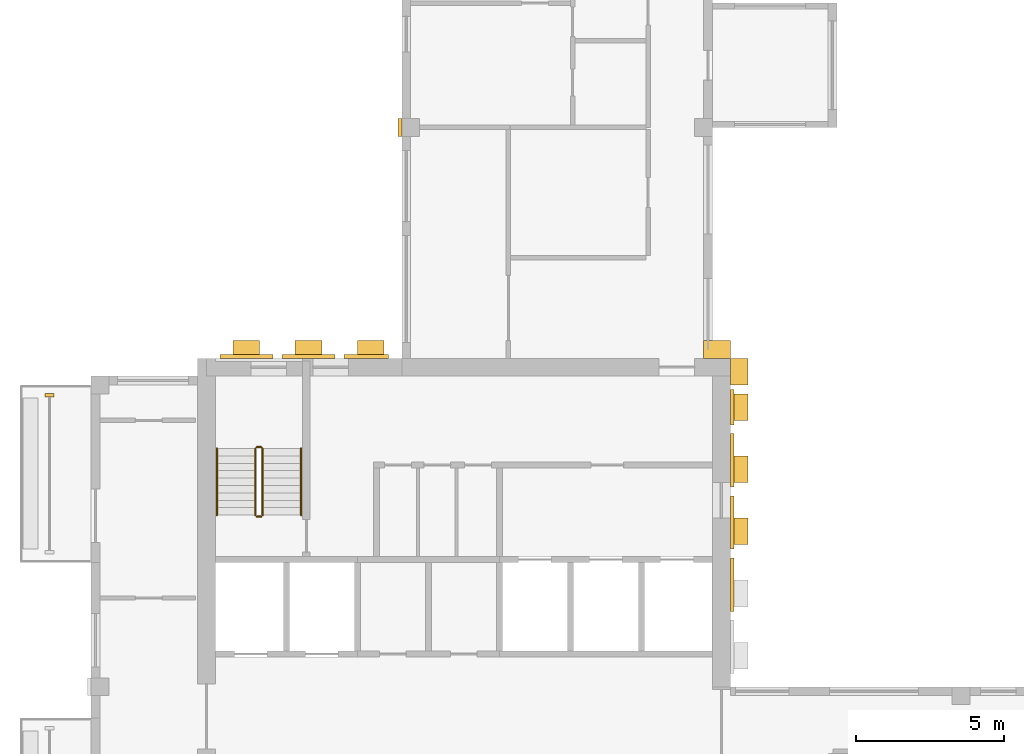
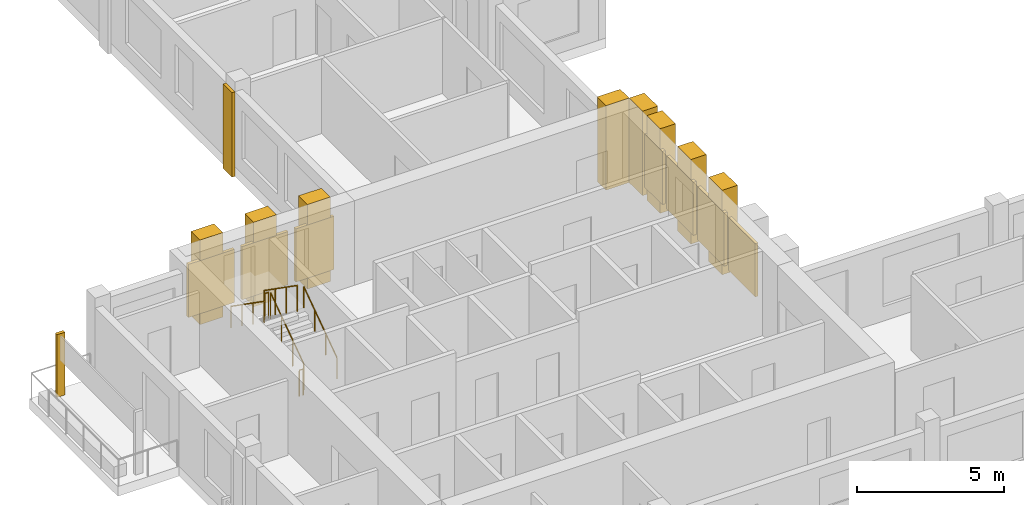
# One storey, part 8 of 10: 17 coverings, 6 railings.
"""IFC4 building model written with IfcOpenShell, lengths in metres."""

from ifc_helpers import new_model, si_unit, direction, frame, origin, origin_2d, place, context, subcontext, project, spatial, rectangle, circle, extrude, source, transform, mapped, material, type_object, element, save


model = new_model("IFC4")

# Units and contexts
model_context = context("Model", 3, precision=1e-05, world=origin(), true_north=direction((0.0, 1.0)))
body_context = subcontext(model_context, "Body", "Model", "MODEL_VIEW")
ifc_project = project(units=[si_unit("LENGTHUNIT", "METRE"), si_unit("AREAUNIT", "SQUARE_METRE"), si_unit("VOLUMEUNIT", "CUBIC_METRE"), si_unit("PLANEANGLEUNIT", "RADIAN"), si_unit("MASSUNIT", "GRAM", prefix="KILO")], contexts=[model_context])

# Site, building, storey
site_placement = place(None, origin())
site = spatial("IfcSite", under=ifc_project, at=site_placement, CompositionType="ELEMENT")
building_placement = place(site_placement, origin())
building = spatial("IfcBuilding", under=site, at=building_placement, Name="Aurelian Terraces", CompositionType="ELEMENT")
storey_placement = place(building_placement, frame((0.0, 0.0, 354.5)))
storey = spatial("IfcBuildingStorey", under=building, at=storey_placement, Name="L84", CompositionType="ELEMENT", Elevation=354.5)

# Coverings
ifc_material_1 = material(Name="Terracotta rainscreen cladding relief", Category="masonry")
covering_type_1 = type_object("IfcCoveringType", Name="FIN-TC", PredefinedType="CLADDING", material=ifc_material_1)
shared_shape_1 = source(origin(), body_context, "Body", "SweptSolid", [
    extrude(rectangle(XDim=0.3, YDim=0.12, at=origin_2d()), origin(), (0.0, 0.0, 1.0), 2.6),
])
covering_1_placement = place(storey_placement, frame((-1.4, 20.35, 0.0), z_axis=(0.0, 0.0, 1.0), x_axis=(1.0, 0.0, 0.0)))
element("IfcCovering", 1, at=covering_1_placement, inside=storey, type_object=covering_type_1, Name="FIN L84 L84-F12-20.1", PredefinedType="CLADDING", context=body_context, shape_type="MappedRepresentation", body=[
    mapped(shared_shape_1, transform((0.0, 0.0, 0.0), scale=1.0)),
])
ifc_material_2 = material(Name="Terracotta rainscreen cladding louvre blades", Category="masonry")
covering_type_2 = type_object("IfcCoveringType", Name="LOUVRE-TC", PredefinedType="CLADDING", material=ifc_material_2)
shared_shape_2 = source(origin(), body_context, "Body", "SweptSolid", [
    extrude(rectangle(XDim=0.12, YDim=1.8, at=origin_2d()), origin(), (0.0, 0.0, 1.0), 2.2),
])
for number, where, z_axis, x_axis, name in (
    (2, (21.66, 13.95, 0.45), (0.0, 0.0, 1.0), (1.0, 0.0, 0.0), "LOUVRE L84 core face E.2"),
    (3, (21.66, 16.05, 0.45), (0.0, 0.0, 1.0), (1.0, 0.0, 0.0), "LOUVRE L84 core face E.3"),
    (4, (21.66, 18.15, 0.45), (0.0, 0.0, 1.0), (1.0, 0.0, 0.0), "LOUVRE L84 core face E.4"),
):
    element("IfcCovering", number, at=place(storey_placement, frame(where, z_axis=z_axis, x_axis=x_axis)), inside=storey, type_object=covering_type_2, Name=name, PredefinedType="CLADDING", context=body_context, shape_type="MappedRepresentation", body=[
        mapped(shared_shape_2, transform((0.0, 0.0, 0.0), scale=1.0)),
    ])
shared_shape_3 = source(origin(), body_context, "Body", "SweptSolid", [
    extrude(rectangle(XDim=1.8, YDim=0.12, at=origin_2d()), origin(), (0.0, 0.0, 1.0), 2.2),
])
for number, where, z_axis, x_axis, name in (
    (5, (5.25, 21.66, 0.45), (0.0, 0.0, 1.0), (1.0, 0.0, 0.0), "LOUVRE L84 core face N.1"),
    (6, (7.35, 21.66, 0.45), (0.0, 0.0, 1.0), (1.0, 0.0, 0.0), "LOUVRE L84 core face N.2"),
):
    element("IfcCovering", number, at=place(storey_placement, frame(where, z_axis=z_axis, x_axis=x_axis)), inside=storey, type_object=covering_type_2, Name=name, PredefinedType="CLADDING", context=body_context, shape_type="MappedRepresentation", body=[
        mapped(shared_shape_3, transform((0.0, 0.0, 0.0), scale=1.0)),
    ])
shared_shape_4 = source(origin(), body_context, "Body", "SweptSolid", [
    extrude(rectangle(XDim=0.12, YDim=1.2, at=origin_2d()), origin(), (0.0, 0.0, 1.0), 2.2),
])
covering_2_placement = place(storey_placement, frame((21.66, 19.95, 0.45), z_axis=(0.0, 0.0, 1.0), x_axis=(1.0, 0.0, 0.0)))
element("IfcCovering", 7, at=covering_2_placement, inside=storey, type_object=covering_type_2, Name="LOUVRE L84 core face E.5", PredefinedType="CLADDING", context=body_context, shape_type="MappedRepresentation", body=[
    mapped(shared_shape_4, transform((0.0, 0.0, 0.0), scale=1.0)),
])
shared_shape_5 = source(origin(), body_context, "Body", "SweptSolid", [
    extrude(rectangle(XDim=1.5, YDim=0.12, at=origin_2d()), origin(), (0.0, 0.0, 1.0), 2.2),
])
covering_3_placement = place(storey_placement, frame((9.3, 21.66, 0.45), z_axis=(0.0, 0.0, 1.0), x_axis=(1.0, 0.0, 0.0)))
element("IfcCovering", 8, at=covering_3_placement, inside=storey, type_object=covering_type_2, Name="LOUVRE L84 core face N.3", PredefinedType="CLADDING", context=body_context, shape_type="MappedRepresentation", body=[
    mapped(shared_shape_5, transform((0.0, 0.0, 0.0), scale=1.0)),
])
covering_type_3 = type_object("IfcCoveringType", Name="BAGUETTE-TC", PredefinedType="CLADDING", material=ifc_material_1)
shared_shape_6 = source(origin(), body_context, "Body", "SweptSolid", [
    extrude(rectangle(XDim=0.12, YDim=0.6, at=origin_2d()), origin(), (0.0, 0.0, 1.0), 3.5),
])
covering_4_placement = place(storey_placement, frame((10.44, 29.4, -0.4), z_axis=(0.0, 0.0, 1.0), x_axis=(1.0, 0.0, 0.0)))
element("IfcCovering", 9, at=covering_4_placement, inside=storey, type_object=covering_type_3, Name="BAGUETTE pier L84 6", PredefinedType="CLADDING", context=body_context, shape_type="MappedRepresentation", body=[
    mapped(shared_shape_6, transform((0.0, 0.0, 0.0), scale=1.0)),
])

# Railings
ifc_material_3 = material(Name="Stainless steel", Category="steel")
railing_type_1 = type_object("IfcRailingType", Name="Stair guard 1100", PredefinedType="GUARDRAIL", material=ifc_material_3)
shared_shape_7 = source(origin(), body_context, "Body", "SweptSolid", [
    extrude(circle(Radius=0.024, at=origin_2d()), frame((0.0, 0.0, 1.076), z_axis=(-1.0, 0.0, 0.0), x_axis=(0.0, -1.0, 0.0)), (0.0, 0.0, 1.0), 0.15),
    extrude(circle(Radius=0.021, at=origin_2d()), origin(), (0.0, 0.0, 1.0), 1.052),
    extrude(circle(Radius=0.021, at=origin_2d()), frame((-0.15, 0.0, 0.0)), (0.0, 0.0, 1.0), 1.052),
])
for number, where, name in (
    (10, (5.75, 18.6, 1.75), "L84 S1 stair guard 2"),
    (11, (5.75, 16.25, 0.0), "L84 S1 stair guard 4"),
):
    element("IfcRailing", number, at=place(storey_placement, frame(where)), inside=storey, type_object=railing_type_1, Name=name, PredefinedType="GUARDRAIL", context=body_context, shape_type="MappedRepresentation", body=[
        mapped(shared_shape_7, transform((0.0, 0.0, 0.0), scale=1.0)),
    ])
shared_shape_8 = source(origin(), body_context, "Body", "SweptSolid", [
    extrude(circle(Radius=0.024, at=origin_2d()), frame((0.0, 0.0, 1.076), z_axis=(0.0, 0.819231920519, 0.573462344363), x_axis=(-1.0, 0.0, 0.0)), (0.0, 0.0, 1.0), 2.7465),
    extrude(circle(Radius=0.021, at=origin_2d()), origin(), (0.0, 0.0, 1.0), 1.052),
    extrude(circle(Radius=0.021, at=origin_2d()), frame((0.0, 0.75, 0.525)), (0.0, 0.0, 1.0), 1.052),
    extrude(circle(Radius=0.021, at=origin_2d()), frame((0.0, 1.5, 1.05)), (0.0, 0.0, 1.0), 1.052),
    extrude(circle(Radius=0.021, at=origin_2d()), frame((0.0, 2.25, 1.575)), (0.0, 0.0, 1.0), 1.052),
])
railing_1_placement = place(storey_placement, frame((5.8, 16.3, 0.175)))
element("IfcRailing", 12, at=railing_1_placement, inside=storey, type_object=railing_type_1, Name="L84 S1 stair guard 1", PredefinedType="GUARDRAIL", context=body_context, shape_type="MappedRepresentation", body=[
    mapped(shared_shape_8, transform((0.0, 0.0, 0.0), scale=1.0)),
])
shared_shape_9 = source(origin(), body_context, "Body", "SweptSolid", [
    extrude(circle(Radius=0.024, at=origin_2d()), frame((0.0, 0.0, 1.076), z_axis=(0.0, -0.819231920519, 0.573462344363), x_axis=(1.0, 0.0, 0.0)), (0.0, 0.0, 1.0), 2.7465),
    extrude(circle(Radius=0.021, at=origin_2d()), origin(), (0.0, 0.0, 1.0), 1.052),
    extrude(circle(Radius=0.021, at=origin_2d()), frame((0.0, -0.75, 0.525)), (0.0, 0.0, 1.0), 1.052),
    extrude(circle(Radius=0.021, at=origin_2d()), frame((0.0, -1.5, 1.05)), (0.0, 0.0, 1.0), 1.052),
    extrude(circle(Radius=0.021, at=origin_2d()), frame((0.0, -2.25, 1.575)), (0.0, 0.0, 1.0), 1.052),
])
railing_2_placement = place(storey_placement, frame((5.55, 18.55, 1.925)))
element("IfcRailing", 13, at=railing_2_placement, inside=storey, type_object=railing_type_1, Name="L84 S1 stair guard 3", PredefinedType="GUARDRAIL", context=body_context, shape_type="MappedRepresentation", body=[
    mapped(shared_shape_9, transform((0.0, 0.0, 0.0), scale=1.0)),
])
railing_type_2 = type_object("IfcRailingType", Name="Stair handrail", PredefinedType="HANDRAIL", material=ifc_material_3)
shared_shape_10 = source(origin(), body_context, "Body", "SweptSolid", [
    extrude(circle(Radius=0.024, at=origin_2d()), frame((0.0, 0.0, 0.876), z_axis=(0.0, 0.819231920519, 0.573462344363), x_axis=(-1.0, 0.0, 0.0)), (0.0, 0.0, 1.0), 2.7465),
    extrude(circle(Radius=0.021, at=origin_2d()), origin(), (0.0, 0.0, 1.0), 0.852),
    extrude(circle(Radius=0.021, at=origin_2d()), frame((0.0, 0.75, 0.525)), (0.0, 0.0, 1.0), 0.852),
    extrude(circle(Radius=0.021, at=origin_2d()), frame((0.0, 1.5, 1.05)), (0.0, 0.0, 1.0), 0.852),
    extrude(circle(Radius=0.021, at=origin_2d()), frame((0.0, 2.25, 1.575)), (0.0, 0.0, 1.0), 0.852),
])
railing_3_placement = place(storey_placement, frame((7.1, 16.3, 0.175)))
element("IfcRailing", 14, at=railing_3_placement, inside=storey, type_object=railing_type_2, Name="L84 S1 stair handrail 1", PredefinedType="HANDRAIL", context=body_context, shape_type="MappedRepresentation", body=[
    mapped(shared_shape_10, transform((0.0, 0.0, 0.0), scale=1.0)),
])
shared_shape_11 = source(origin(), body_context, "Body", "SweptSolid", [
    extrude(circle(Radius=0.024, at=origin_2d()), frame((0.0, 0.0, 0.876), z_axis=(0.0, -0.819231920519, 0.573462344363), x_axis=(1.0, 0.0, 0.0)), (0.0, 0.0, 1.0), 2.7465),
    extrude(circle(Radius=0.021, at=origin_2d()), origin(), (0.0, 0.0, 1.0), 0.852),
    extrude(circle(Radius=0.021, at=origin_2d()), frame((0.0, -0.75, 0.525)), (0.0, 0.0, 1.0), 0.852),
    extrude(circle(Radius=0.021, at=origin_2d()), frame((0.0, -1.5, 1.05)), (0.0, 0.0, 1.0), 0.852),
    extrude(circle(Radius=0.021, at=origin_2d()), frame((0.0, -2.25, 1.575)), (0.0, 0.0, 1.0), 0.852),
])
railing_4_placement = place(storey_placement, frame((4.25, 18.55, 1.925)))
element("IfcRailing", 15, at=railing_4_placement, inside=storey, type_object=railing_type_2, Name="L84 S1 stair handrail 2", PredefinedType="HANDRAIL", context=body_context, shape_type="MappedRepresentation", body=[
    mapped(shared_shape_11, transform((0.0, 0.0, 0.0), scale=1.0)),
])

# Coverings
covering_type_4 = type_object("IfcCoveringType", Name="Core spine pier 900x600", PredefinedType="CLADDING", material=ifc_material_1)
shared_shape_12 = source(origin(), body_context, "Body", "SweptSolid", [
    extrude(rectangle(XDim=0.6, YDim=0.9, at=origin_2d()), origin(), (0.0, 0.0, 1.0), 3.5),
])
for number, where, z_axis, x_axis, name in (
    (16, (21.9, 15.75, 0.0), (0.0, 0.0, 1.0), (1.0, 0.0, 0.0), "Spine pier L84 E3"),
    (17, (21.9, 17.85, 0.0), (0.0, 0.0, 1.0), (1.0, 0.0, 0.0), "Spine pier L84 E4"),
    (18, (21.9, 19.95, 0.0), (0.0, 0.0, 1.0), (1.0, 0.0, 0.0), "Spine pier L84 E5"),
    (19, (21.9, 21.15, 0.0), (0.0, 0.0, 1.0), (1.0, 0.0, 0.0), "Spine pier L84 corner east"),
):
    element("IfcCovering", number, at=place(storey_placement, frame(where, z_axis=z_axis, x_axis=x_axis)), inside=storey, type_object=covering_type_4, Name=name, PredefinedType="CLADDING", context=body_context, shape_type="MappedRepresentation", body=[
        mapped(shared_shape_12, transform((0.0, 0.0, 0.0), scale=1.0)),
    ])
shared_shape_13 = source(origin(), body_context, "Body", "SweptSolid", [
    extrude(rectangle(XDim=0.9, YDim=0.6, at=origin_2d()), origin(), (0.0, 0.0, 1.0), 3.5),
])
for number, where, z_axis, x_axis, name in (
    (20, (5.25, 21.9, 0.0), (0.0, 0.0, 1.0), (1.0, 0.0, 0.0), "Spine pier L84 N6"),
    (21, (7.35, 21.9, 0.0), (0.0, 0.0, 1.0), (1.0, 0.0, 0.0), "Spine pier L84 N7"),
    (22, (9.45, 21.9, 0.0), (0.0, 0.0, 1.0), (1.0, 0.0, 0.0), "Spine pier L84 N8"),
    (23, (21.15, 21.9, 0.0), (0.0, 0.0, 1.0), (1.0, 0.0, 0.0), "Spine pier L84 corner north"),
):
    element("IfcCovering", number, at=place(storey_placement, frame(where, z_axis=z_axis, x_axis=x_axis)), inside=storey, type_object=covering_type_4, Name=name, PredefinedType="CLADDING", context=body_context, shape_type="MappedRepresentation", body=[
        mapped(shared_shape_13, transform((0.0, 0.0, 0.0), scale=1.0)),
    ])

save(model, "model.ifc")
